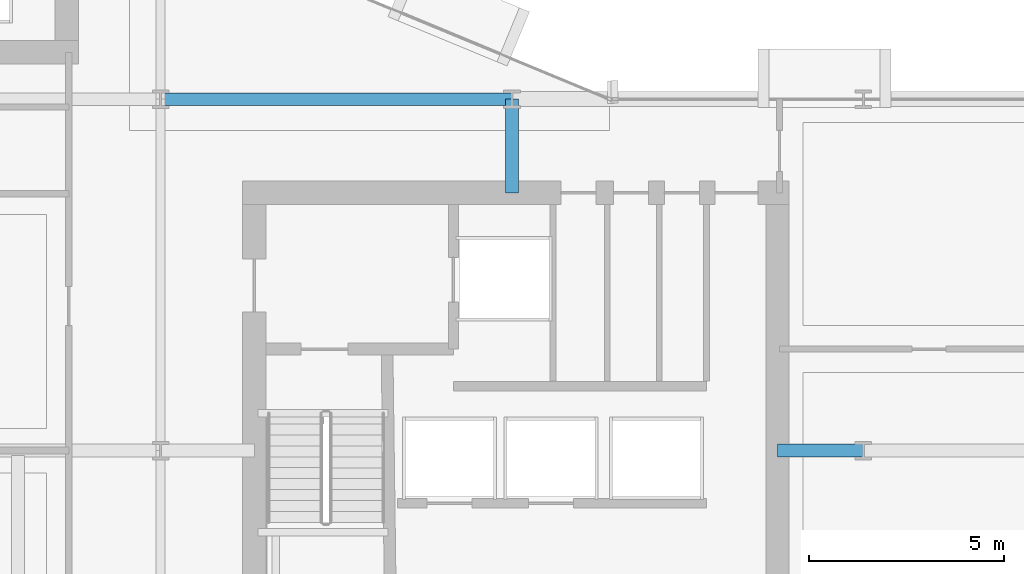
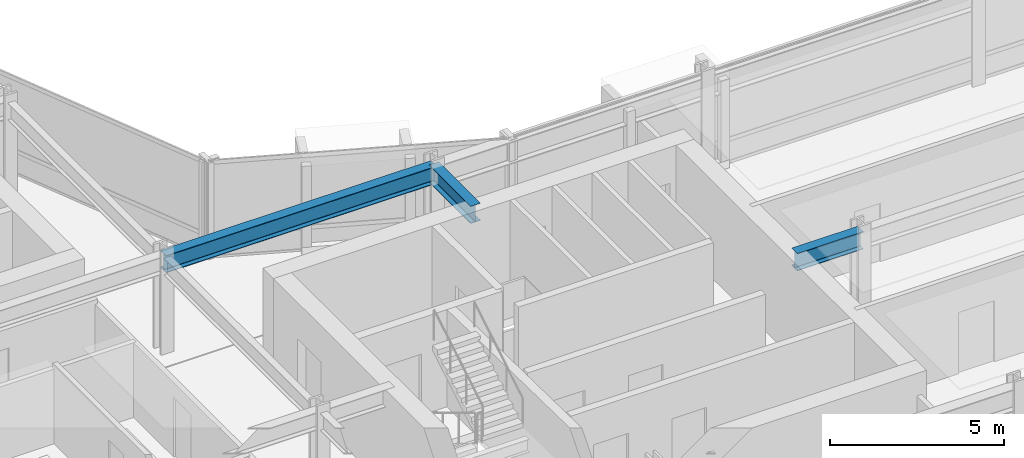
# One storey, part 14 of 34: 3 beams.
"""IFC4 building model written with IfcOpenShell, lengths in metres."""

from ifc_helpers import new_model, si_unit, direction, frame, origin, origin_2d, place, context, subcontext, project, spatial, i_section, extrude, material, material_profile, profile_set, type_object, element, save


model = new_model("IFC4")

# Units and contexts
model_context = context("Model", 3, precision=1e-05, world=origin(), true_north=direction((0.0, 1.0)))
body_context = subcontext(model_context, "Body", "Model", "MODEL_VIEW")
ifc_project = project(units=[si_unit("LENGTHUNIT", "METRE"), si_unit("AREAUNIT", "SQUARE_METRE"), si_unit("VOLUMEUNIT", "CUBIC_METRE"), si_unit("PLANEANGLEUNIT", "RADIAN"), si_unit("MASSUNIT", "GRAM", prefix="KILO")], contexts=[model_context])

# Site, building, storey
site_placement = place(None, origin())
site = spatial("IfcSite", under=ifc_project, at=site_placement, CompositionType="ELEMENT")
building_placement = place(site_placement, origin())
building = spatial("IfcBuilding", under=site, at=building_placement, Name="Solvaryn Broadcast Tower", CompositionType="ELEMENT")
storey_placement = place(building_placement, frame((0.0, 0.0, 69.300048828125)))
storey = spatial("IfcBuildingStorey", under=building, at=storey_placement, Name="L16", CompositionType="ELEMENT", Elevation=69.300048828125)

# Beams
ifc_material = material(Name="Steel ASTM A992 Grade 50", Category="steel")
ifc_material_profile = material_profile(ifc_material, i_section(OverallWidth=0.323974609375, OverallDepth=0.611083984375, WebThickness=0.0126953125, FlangeThickness=0.01904296875, FilletRadius=0.014892578125, at=origin_2d()))
ifc_profile_set = profile_set([ifc_material_profile], Name="Steel ASTM A992 Grade 50")
beam_type = type_object("IfcBeamType", Name="BM-B1-W24X104", PredefinedType="BEAM", material=ifc_profile_set)
beam_1_placement = place(storey_placement, frame((27.0, 27.0, 3.114501953125), z_axis=(1.0, 0.0, 0.0), x_axis=(0.0, 1.0, 0.0)))
element("IfcBeam", 1, at=beam_1_placement, inside=storey, type_object=beam_type, Name="L16 Primary Beam X (27-36 @ Y=27)", PredefinedType="BEAM", context=body_context, shape_type="SweptSolid", body=[
    extrude(i_section(OverallWidth=0.323974609375, OverallDepth=0.611083984375, WebThickness=0.0126953125, FlangeThickness=0.01904296875, FilletRadius=0.014892578125, at=origin_2d()), origin(), (0.0, 0.0, 1.0), 9.0),
])
beam_2_placement = place(storey_placement, frame((36.0, 24.60009765625, 3.114501953125), z_axis=(0.0, 1.0, 0.0), x_axis=(-1.0, 0.0, 0.0)))
element("IfcBeam", 2, at=beam_2_placement, inside=storey, type_object=beam_type, Name="L16 Core Tie Beam CTE2", PredefinedType="BEAM", context=body_context, shape_type="SweptSolid", body=[
    extrude(i_section(OverallWidth=0.323974609375, OverallDepth=0.611083984375, WebThickness=0.0126953125, FlangeThickness=0.01904296875, FilletRadius=0.014892578125, at=origin_2d()), origin(), (0.0, 0.0, 1.0), 2.39990234375),
])
beam_3_placement = place(storey_placement, frame((42.800048828125, 18.0, 3.114501953125), z_axis=(1.0, 0.0, 0.0), x_axis=(0.0, 1.0, 0.0)))
element("IfcBeam", 3, at=beam_3_placement, inside=storey, type_object=beam_type, Name="L16 Core Tie Beam CTE3", PredefinedType="BEAM", context=body_context, shape_type="SweptSolid", body=[
    extrude(i_section(OverallWidth=0.323974609375, OverallDepth=0.611083984375, WebThickness=0.0126953125, FlangeThickness=0.01904296875, FilletRadius=0.014892578125, at=origin_2d()), origin(), (0.0, 0.0, 1.0), 2.199951171875),
])

save(model, "model.ifc")
